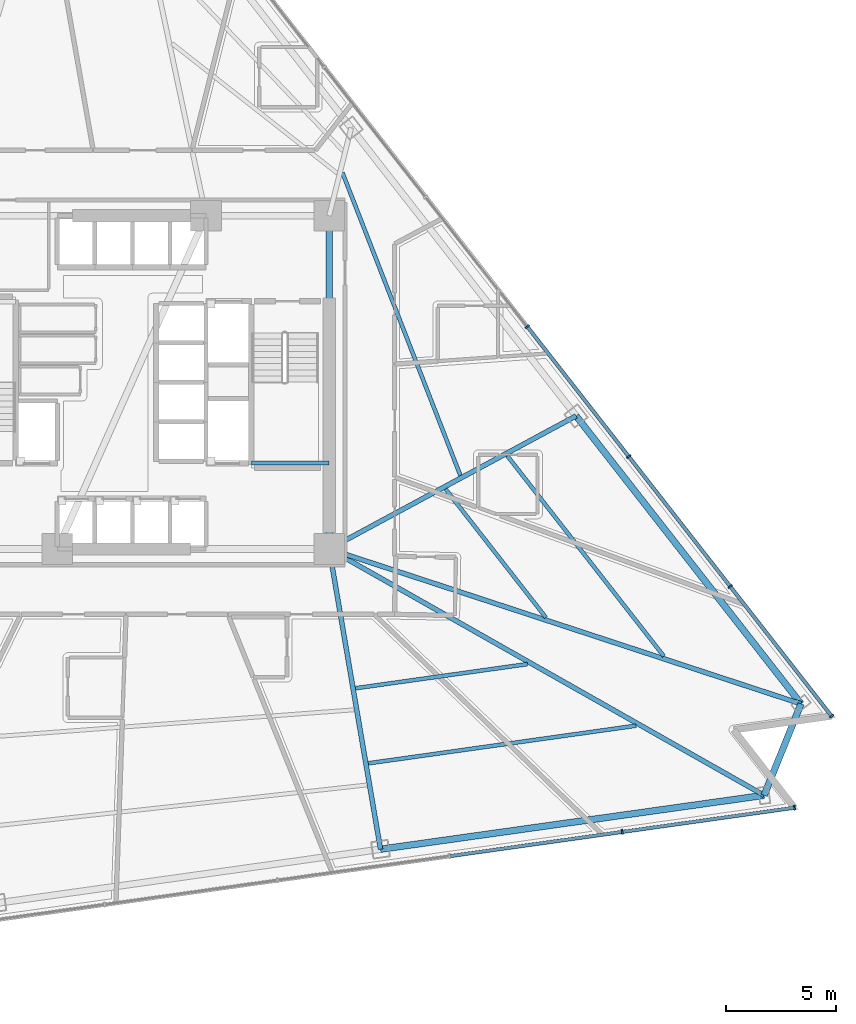
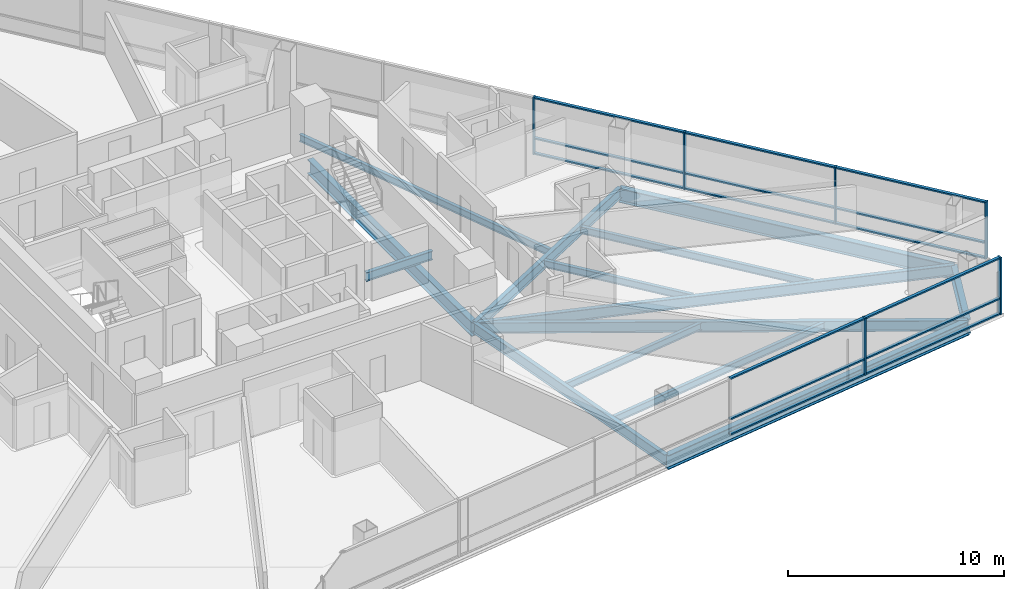
# One storey, part 4 of 15: 21 members, 14 beams, 2 elements without a shape of their own.
"""IFC4 building model written with IfcOpenShell, lengths in metres."""

from ifc_helpers import new_model, si_unit, direction, frame, origin, origin_2d, place, context, subcontext, project, spatial, rectangle, i_section, extrude, material, layer, layer_set, material_profile, profile_set, type_object, element, aggregate, save


model = new_model("IFC4")

# Units and contexts
model_context = context("Model", 3, precision=1e-05, world=origin(), true_north=direction((0.0, 1.0)))
body_context = subcontext(model_context, "Body", "Model", "MODEL_VIEW")
ifc_project = project(units=[si_unit("LENGTHUNIT", "METRE"), si_unit("AREAUNIT", "SQUARE_METRE"), si_unit("VOLUMEUNIT", "CUBIC_METRE"), si_unit("PLANEANGLEUNIT", "RADIAN"), si_unit("MASSUNIT", "GRAM", prefix="KILO")], contexts=[model_context])

# Site, building, storey
site_placement = place(None, origin())
site = spatial("IfcSite", under=ifc_project, at=site_placement, CompositionType="ELEMENT")
building_placement = place(site_placement, origin())
building = spatial("IfcBuilding", under=site, at=building_placement, Name="Tharavind Bronze Gate", CompositionType="ELEMENT")
storey_placement = place(building_placement, frame((0.0, 0.0, 60.449951171875)))
storey = spatial("IfcBuildingStorey", under=building, at=storey_placement, Name="L14", CompositionType="ELEMENT", Elevation=60.449951171875)

# Curtain wall, members
ifc_material_1 = material(Name="Anodised Bronze Aluminium", Category="aluminium")
ifc_layer = layer(ifc_material_1, 0.219970703125)
ifc_layer_set = layer_set([ifc_layer], Name="Anodised Bronze Aluminium")
curtain_wall_type = type_object("IfcCurtainWallType", Name="UNITISED CURTAIN WALL HOTEL", PredefinedType="USERDEFINED", material=ifc_layer_set)
curtain_wall_1_placement = place(storey_placement, origin())
curtain_wall_1 = element("IfcCurtainWall", 1, at=curtain_wall_1_placement, inside=storey, type_object=curtain_wall_type, Name="L14 unitised curtain wall hotel CW-L14-S2", ObjectType="UNITISED CURTAIN WALL", PredefinedType="USERDEFINED")
member_type_1 = type_object("IfcMemberType", Name="CURTAIN WALL MULLION 80X220", PredefinedType="MULLION", material=ifc_material_1)
member_1_placement = place(storey_placement, frame((22.261474609375, -20.504638671875, 0.0), z_axis=(0.0, 0.0, 1.0), x_axis=(0.990268068742, 0.13917310096, 0.0)))
member_1 = element("IfcMember", 2, at=member_1_placement, type_object=member_type_1, Name="CW-L14-S2 mullion 7", PredefinedType="MULLION", context=body_context, shape_type="SweptSolid", body=[
    extrude(rectangle(XDim=0.080078125, YDim=0.219970703125, at=origin_2d()), origin(), (0.0, 0.0, 1.0), 3.22509765625),
])
member_2_placement = place(storey_placement, frame((30.127685546875, -19.399169921875, 0.0), z_axis=(0.0, 0.0, 1.0), x_axis=(0.990268068742, 0.13917310096, 0.0)))
member_2 = element("IfcMember", 3, at=member_2_placement, type_object=member_type_1, Name="CW-L14-S2 mullion 8", PredefinedType="MULLION", context=body_context, shape_type="SweptSolid", body=[
    extrude(rectangle(XDim=0.080078125, YDim=0.219970703125, at=origin_2d()), origin(), (0.0, 0.0, 1.0), 3.22509765625),
])

curtain_wall_2_placement = place(storey_placement, origin())
curtain_wall_2 = element("IfcCurtainWall", 4, at=curtain_wall_2_placement, inside=storey, type_object=curtain_wall_type, Name="L14 unitised curtain wall hotel CW-L14-S3", ObjectType="UNITISED CURTAIN WALL", PredefinedType="USERDEFINED")
member_3_placement = place(storey_placement, frame((31.8134765625, -15.226806640625, 0.0), z_axis=(0.0, 0.0, 1.0), x_axis=(-0.615661475326, 0.788010753607, 0.0)))
member_3 = element("IfcMember", 5, at=member_3_placement, type_object=member_type_1, Name="CW-L14-S3 mullion 1", PredefinedType="MULLION", context=body_context, shape_type="SweptSolid", body=[
    extrude(rectangle(XDim=0.080078125, YDim=0.219970703125, at=origin_2d()), origin(), (0.0, 0.0, 1.0), 3.22509765625),
])
member_4_placement = place(storey_placement, frame((27.186767578125, -9.3046875, 0.0), z_axis=(0.0, 0.0, 1.0), x_axis=(-0.615661475326, 0.788010753607, 0.0)))
member_4 = element("IfcMember", 6, at=member_4_placement, type_object=member_type_1, Name="CW-L14-S3 mullion 2", PredefinedType="MULLION", context=body_context, shape_type="SweptSolid", body=[
    extrude(rectangle(XDim=0.080078125, YDim=0.219970703125, at=origin_2d()), origin(), (0.0, 0.0, 1.0), 3.22509765625),
])
member_5_placement = place(storey_placement, frame((22.56005859375, -3.3828125, 0.0), z_axis=(0.0, 0.0, 1.0), x_axis=(-0.615661475326, 0.788010753607, 0.0)))
member_5 = element("IfcMember", 7, at=member_5_placement, type_object=member_type_1, Name="CW-L14-S3 mullion 3", PredefinedType="MULLION", context=body_context, shape_type="SweptSolid", body=[
    extrude(rectangle(XDim=0.080078125, YDim=0.219970703125, at=origin_2d()), origin(), (0.0, 0.0, 1.0), 3.22509765625),
])
member_6_placement = place(storey_placement, frame((17.933349609375, 2.5390625, 0.0), z_axis=(0.0, 0.0, 1.0), x_axis=(-0.615661475326, 0.788010753607, 0.0)))
member_6 = element("IfcMember", 8, at=member_6_placement, type_object=member_type_1, Name="CW-L14-S3 mullion 4", PredefinedType="MULLION", context=body_context, shape_type="SweptSolid", body=[
    extrude(rectangle(XDim=0.080078125, YDim=0.219970703125, at=origin_2d()), origin(), (0.0, 0.0, 1.0), 3.22509765625),
])

# Member
member_type_2 = type_object("IfcMemberType", Name="CURTAIN WALL TRANSOM 80X160", PredefinedType="USERDEFINED", material=ifc_material_1)
member_7_placement = place(storey_placement, frame((18.328369140625, -21.057373046875, 0.0), z_axis=(0.0, 0.0, 1.0), x_axis=(0.990268068742, 0.13917310096, 0.0)))
member_7 = element("IfcMember", 9, at=member_7_placement, type_object=member_type_2, Name="CW-L14-S2 transom TB6", ObjectType="TRANSOM", PredefinedType="USERDEFINED", context=body_context, shape_type="SweptSolid", body=[
    extrude(rectangle(XDim=7.87548828125, YDim=0.159912109375, at=origin_2d()), origin(), (0.0, 0.0, 1.0), 0.080078125),
])

member_8_placement = place(storey_placement, frame((18.328369140625, -21.057373046875, 0.860107421875), z_axis=(0.0, 0.0, 1.0), x_axis=(0.990268068742, 0.13917310096, 0.0)))
member_8 = element("IfcMember", 10, at=member_8_placement, type_object=member_type_2, Name="CW-L14-S2 transom TS6", ObjectType="TRANSOM", PredefinedType="USERDEFINED", context=body_context, shape_type="SweptSolid", body=[
    extrude(rectangle(XDim=7.87548828125, YDim=0.159912109375, at=origin_2d()), origin(), (0.0, 0.0, 1.0), 0.080078125),
])

member_9_placement = place(storey_placement, frame((18.328369140625, -21.057373046875, 3.14501953125), z_axis=(0.0, 0.0, 1.0), x_axis=(0.990268068742, 0.13917310096, 0.0)))
member_9 = element("IfcMember", 11, at=member_9_placement, type_object=member_type_2, Name="CW-L14-S2 transom TT6", ObjectType="TRANSOM", PredefinedType="USERDEFINED", context=body_context, shape_type="SweptSolid", body=[
    extrude(rectangle(XDim=7.87548828125, YDim=0.159912109375, at=origin_2d()), origin(), (0.0, 0.0, 1.0), 0.080078125),
])

member_10_placement = place(storey_placement, frame((26.194580078125, -19.951904296875, 0.0), z_axis=(0.0, 0.0, 1.0), x_axis=(0.990268068742, 0.13917310096, 0.0)))
member_10 = element("IfcMember", 12, at=member_10_placement, type_object=member_type_2, Name="CW-L14-S2 transom TB7", ObjectType="TRANSOM", PredefinedType="USERDEFINED", context=body_context, shape_type="SweptSolid", body=[
    extrude(rectangle(XDim=7.87548828125, YDim=0.159912109375, at=origin_2d()), origin(), (0.0, 0.0, 1.0), 0.080078125),
])

member_11_placement = place(storey_placement, frame((26.194580078125, -19.951904296875, 0.860107421875), z_axis=(0.0, 0.0, 1.0), x_axis=(0.990268068742, 0.13917310096, 0.0)))
member_11 = element("IfcMember", 13, at=member_11_placement, type_object=member_type_2, Name="CW-L14-S2 transom TS7", ObjectType="TRANSOM", PredefinedType="USERDEFINED", context=body_context, shape_type="SweptSolid", body=[
    extrude(rectangle(XDim=7.87548828125, YDim=0.159912109375, at=origin_2d()), origin(), (0.0, 0.0, 1.0), 0.080078125),
])

member_12_placement = place(storey_placement, frame((26.194580078125, -19.951904296875, 3.14501953125), z_axis=(0.0, 0.0, 1.0), x_axis=(0.990268068742, 0.13917310096, 0.0)))
member_12 = element("IfcMember", 14, at=member_12_placement, type_object=member_type_2, Name="CW-L14-S2 transom TT7", ObjectType="TRANSOM", PredefinedType="USERDEFINED", context=body_context, shape_type="SweptSolid", body=[
    extrude(rectangle(XDim=7.87548828125, YDim=0.159912109375, at=origin_2d()), origin(), (0.0, 0.0, 1.0), 0.080078125),
])

aggregate(curtain_wall_1, [member_1, member_2, member_7, member_8, member_9, member_10, member_11, member_12])

member_13_placement = place(storey_placement, frame((29.5, -12.265869140625, 0.0), z_axis=(0.0, 0.0, 1.0), x_axis=(-0.615661475326, 0.788010753607, 0.0)))
member_13 = element("IfcMember", 15, at=member_13_placement, type_object=member_type_2, Name="CW-L14-S3 transom TB1", ObjectType="TRANSOM", PredefinedType="USERDEFINED", context=body_context, shape_type="SweptSolid", body=[
    extrude(rectangle(XDim=7.447021484375, YDim=0.159912109375, at=origin_2d()), origin(), (0.0, 0.0, 1.0), 0.080078125),
])

member_14_placement = place(storey_placement, frame((29.5, -12.265869140625, 0.860107421875), z_axis=(0.0, 0.0, 1.0), x_axis=(-0.615661475326, 0.788010753607, 0.0)))
member_14 = element("IfcMember", 16, at=member_14_placement, type_object=member_type_2, Name="CW-L14-S3 transom TS1", ObjectType="TRANSOM", PredefinedType="USERDEFINED", context=body_context, shape_type="SweptSolid", body=[
    extrude(rectangle(XDim=7.447021484375, YDim=0.159912109375, at=origin_2d()), origin(), (0.0, 0.0, 1.0), 0.080078125),
])

member_15_placement = place(storey_placement, frame((29.5, -12.265869140625, 3.14501953125), z_axis=(0.0, 0.0, 1.0), x_axis=(-0.615661475326, 0.788010753607, 0.0)))
member_15 = element("IfcMember", 17, at=member_15_placement, type_object=member_type_2, Name="CW-L14-S3 transom TT1", ObjectType="TRANSOM", PredefinedType="USERDEFINED", context=body_context, shape_type="SweptSolid", body=[
    extrude(rectangle(XDim=7.447021484375, YDim=0.159912109375, at=origin_2d()), origin(), (0.0, 0.0, 1.0), 0.080078125),
])

member_16_placement = place(storey_placement, frame((24.873291015625, -6.343994140625, 0.0), z_axis=(0.0, 0.0, 1.0), x_axis=(-0.615661475326, 0.788010753607, 0.0)))
member_16 = element("IfcMember", 18, at=member_16_placement, type_object=member_type_2, Name="CW-L14-S3 transom TB2", ObjectType="TRANSOM", PredefinedType="USERDEFINED", context=body_context, shape_type="SweptSolid", body=[
    extrude(rectangle(XDim=7.447021484375, YDim=0.159912109375, at=origin_2d()), origin(), (0.0, 0.0, 1.0), 0.080078125),
])

member_17_placement = place(storey_placement, frame((24.873291015625, -6.343994140625, 0.860107421875), z_axis=(0.0, 0.0, 1.0), x_axis=(-0.615661475326, 0.788010753607, 0.0)))
member_17 = element("IfcMember", 19, at=member_17_placement, type_object=member_type_2, Name="CW-L14-S3 transom TS2", ObjectType="TRANSOM", PredefinedType="USERDEFINED", context=body_context, shape_type="SweptSolid", body=[
    extrude(rectangle(XDim=7.447021484375, YDim=0.159912109375, at=origin_2d()), origin(), (0.0, 0.0, 1.0), 0.080078125),
])

member_18_placement = place(storey_placement, frame((24.873291015625, -6.343994140625, 3.14501953125), z_axis=(0.0, 0.0, 1.0), x_axis=(-0.615661475326, 0.788010753607, 0.0)))
member_18 = element("IfcMember", 20, at=member_18_placement, type_object=member_type_2, Name="CW-L14-S3 transom TT2", ObjectType="TRANSOM", PredefinedType="USERDEFINED", context=body_context, shape_type="SweptSolid", body=[
    extrude(rectangle(XDim=7.447021484375, YDim=0.159912109375, at=origin_2d()), origin(), (0.0, 0.0, 1.0), 0.080078125),
])

member_19_placement = place(storey_placement, frame((20.24658203125, -0.421875, 0.0), z_axis=(0.0, 0.0, 1.0), x_axis=(-0.615661475326, 0.788010753607, 0.0)))
member_19 = element("IfcMember", 21, at=member_19_placement, type_object=member_type_2, Name="CW-L14-S3 transom TB3", ObjectType="TRANSOM", PredefinedType="USERDEFINED", context=body_context, shape_type="SweptSolid", body=[
    extrude(rectangle(XDim=7.447021484375, YDim=0.159912109375, at=origin_2d()), origin(), (0.0, 0.0, 1.0), 0.080078125),
])

member_20_placement = place(storey_placement, frame((20.24658203125, -0.421875, 0.860107421875), z_axis=(0.0, 0.0, 1.0), x_axis=(-0.615661475326, 0.788010753607, 0.0)))
member_20 = element("IfcMember", 22, at=member_20_placement, type_object=member_type_2, Name="CW-L14-S3 transom TS3", ObjectType="TRANSOM", PredefinedType="USERDEFINED", context=body_context, shape_type="SweptSolid", body=[
    extrude(rectangle(XDim=7.447021484375, YDim=0.159912109375, at=origin_2d()), origin(), (0.0, 0.0, 1.0), 0.080078125),
])

member_21_placement = place(storey_placement, frame((20.24658203125, -0.421875, 3.14501953125), z_axis=(0.0, 0.0, 1.0), x_axis=(-0.615661475326, 0.788010753607, 0.0)))
member_21 = element("IfcMember", 23, at=member_21_placement, type_object=member_type_2, Name="CW-L14-S3 transom TT3", ObjectType="TRANSOM", PredefinedType="USERDEFINED", context=body_context, shape_type="SweptSolid", body=[
    extrude(rectangle(XDim=7.447021484375, YDim=0.159912109375, at=origin_2d()), origin(), (0.0, 0.0, 1.0), 0.080078125),
])

aggregate(curtain_wall_2, [member_3, member_4, member_5, member_6, member_13, member_14, member_15, member_16, member_17, member_18, member_19, member_20, member_21])

# Beams
ifc_material_2 = material(Name="Steel S355", Category="steel")
ifc_material_profile_1 = material_profile(ifc_material_2, i_section(OverallWidth=0.199951171875, OverallDepth=0.5, WebThickness=0.01025390625, FlangeThickness=0.01611328125, at=origin_2d()), Name="IPE500")
ifc_profile_set_1 = profile_set([ifc_material_profile_1], Name="Steel S355")
beam_type_1 = type_object("IfcBeamType", Name="PRIMARY GIRDER IPE500", PredefinedType="USERDEFINED", material=ifc_profile_set_1)
beam_1_placement = place(storey_placement, frame((5.35009765625, -3.679931640625, 1.25), z_axis=(1.0, 0.0, 0.0), x_axis=(0.0, 1.0, 0.0)))
element("IfcBeam", 24, at=beam_1_placement, inside=storey, type_object=beam_type_1, Name="L14 primary girder ipe500 BM-LD-ST2-L14-1", ObjectType="GIRDER", PredefinedType="USERDEFINED", context=body_context, shape_type="SweptSolid", body=[
    extrude(i_section(OverallWidth=0.199951171875, OverallDepth=0.5, WebThickness=0.01025390625, FlangeThickness=0.01611328125, at=origin_2d()), origin(), (0.0, 0.0, 1.0), 3.5498046875),
])
ifc_material_profile_2 = material_profile(ifc_material_2, i_section(OverallWidth=0.219970703125, OverallDepth=0.60009765625, WebThickness=0.011962890625, FlangeThickness=0.01904296875, at=origin_2d()), Name="IPE600")
ifc_profile_set_2 = profile_set([ifc_material_profile_2], Name="Steel S355")
beam_type_2 = type_object("IfcBeamType", Name="PRIMARY GIRDER IPE600", PredefinedType="USERDEFINED", material=ifc_profile_set_2)
beam_2_placement = place(storey_placement, frame((11.23974609375, -21.29638671875, -0.474853515625), z_axis=(-0.168398067653, 0.985719072967, 0.0), x_axis=(-0.985719072967, -0.168398067653, 0.0)))
element("IfcBeam", 25, at=beam_2_placement, inside=storey, type_object=beam_type_2, Name="L14 primary girder ipe600 BM-L14-RAD07", ObjectType="GIRDER", PredefinedType="USERDEFINED", context=body_context, shape_type="SweptSolid", body=[
    extrude(i_section(OverallWidth=0.219970703125, OverallDepth=0.60009765625, WebThickness=0.011962890625, FlangeThickness=0.01904296875, at=origin_2d()), origin(), (0.0, 0.0, 1.0), 13.894775390625),
])
beam_3_placement = place(storey_placement, frame((28.737060546875, -18.837158203125, -0.474853515625), z_axis=(-0.870097351351, 0.492879903396, 0.0), x_axis=(-0.492879903396, -0.870097351351, 0.0)))
element("IfcBeam", 26, at=beam_3_placement, inside=storey, type_object=beam_type_2, Name="L14 primary girder ipe600 BM-L14-RAD08", ObjectType="GIRDER", PredefinedType="USERDEFINED", context=body_context, shape_type="SweptSolid", body=[
    extrude(i_section(OverallWidth=0.219970703125, OverallDepth=0.60009765625, WebThickness=0.011962890625, FlangeThickness=0.01904296875, at=origin_2d()), origin(), (0.0, 0.0, 1.0), 22.798828125),
])
beam_4_placement = place(storey_placement, frame((30.422607421875, -14.664794921875, -0.474853515625), z_axis=(-0.950123985447, 0.311872429494, 0.0), x_axis=(-0.311872429494, -0.950123985447, 0.0)))
element("IfcBeam", 27, at=beam_4_placement, inside=storey, type_object=beam_type_2, Name="L14 primary girder ipe600 BM-L14-RAD09", ObjectType="GIRDER", PredefinedType="USERDEFINED", context=body_context, shape_type="SweptSolid", body=[
    extrude(i_section(OverallWidth=0.219970703125, OverallDepth=0.60009765625, WebThickness=0.011962890625, FlangeThickness=0.01904296875, at=origin_2d()), origin(), (0.0, 0.0, 1.0), 22.652587890625),
])
beam_5_placement = place(storey_placement, frame((20.16015625, -1.529296875, -0.474853515625), z_axis=(-0.880223404357, -0.474559541493, 0.0), x_axis=(0.474559541493, -0.880223404357, 0.0)))
element("IfcBeam", 28, at=beam_5_placement, inside=storey, type_object=beam_type_2, Name="L14 primary girder ipe600 BM-L14-RAD10", ObjectType="GIRDER", PredefinedType="USERDEFINED", context=body_context, shape_type="SweptSolid", body=[
    extrude(i_section(OverallWidth=0.219970703125, OverallDepth=0.60009765625, WebThickness=0.011962890625, FlangeThickness=0.01904296875, at=origin_2d()), origin(), (0.0, 0.0, 1.0), 12.79248046875),
])
ifc_material_profile_3 = material_profile(ifc_material_2, i_section(OverallWidth=0.300048828125, OverallDepth=0.800048828125, WebThickness=0.017578125, FlangeThickness=0.032958984375, at=origin_2d()), Name="HE800B")
ifc_profile_set_3 = profile_set([ifc_material_profile_3], Name="Steel S355")
beam_type_3 = type_object("IfcBeamType", Name="RING GIRDER HE800B", PredefinedType="USERDEFINED", material=ifc_profile_set_3)
beam_6_placement = place(storey_placement, frame((8.89990234375, -7.60009765625, -0.574951171875), z_axis=(0.0, 1.0, 0.0), x_axis=(-1.0, 0.0, 0.0)))
element("IfcBeam", 29, at=beam_6_placement, inside=storey, type_object=beam_type_3, Name="L14 ring girder he800b BM-L14-CR3", ObjectType="GIRDER", PredefinedType="USERDEFINED", context=body_context, shape_type="SweptSolid", body=[
    extrude(i_section(OverallWidth=0.300048828125, OverallDepth=0.800048828125, WebThickness=0.017578125, FlangeThickness=0.032958984375, at=origin_2d()), origin(), (0.0, 0.0, 1.0), 15.2001953125),
])
beam_7_placement = place(storey_placement, frame((11.23974609375, -21.29638671875, -0.574951171875), z_axis=(0.990266966294, 0.13918094506, 0.0), x_axis=(-0.13918094506, 0.990266966294, 0.0)))
element("IfcBeam", 30, at=beam_7_placement, inside=storey, type_object=beam_type_3, Name="L14 ring girder he800b BM-L14-PRG07", ObjectType="GIRDER", PredefinedType="USERDEFINED", context=body_context, shape_type="SweptSolid", body=[
    extrude(i_section(OverallWidth=0.300048828125, OverallDepth=0.800048828125, WebThickness=0.017578125, FlangeThickness=0.032958984375, at=origin_2d()), origin(), (0.0, 0.0, 1.0), 17.669189453125),
])
beam_8_placement = place(storey_placement, frame((28.737060546875, -18.837158203125, -0.574951171875), z_axis=(0.374568898324, 0.927199083481, 0.0), x_axis=(-0.927199083481, 0.374568898324, 0.0)))
element("IfcBeam", 31, at=beam_8_placement, inside=storey, type_object=beam_type_3, Name="L14 ring girder he800b BM-L14-PRG08", ObjectType="GIRDER", PredefinedType="USERDEFINED", context=body_context, shape_type="SweptSolid", body=[
    extrude(i_section(OverallWidth=0.300048828125, OverallDepth=0.800048828125, WebThickness=0.017578125, FlangeThickness=0.032958984375, at=origin_2d()), origin(), (0.0, 0.0, 1.0), 4.5),
])
beam_9_placement = place(storey_placement, frame((30.422607421875, -14.664794921875, -0.574951171875), z_axis=(-0.61565683186, 0.788014381458, 0.0), x_axis=(-0.788014381458, -0.61565683186, 0.0)))
element("IfcBeam", 32, at=beam_9_placement, inside=storey, type_object=beam_type_3, Name="L14 ring girder he800b BM-L14-PRG09", ObjectType="GIRDER", PredefinedType="USERDEFINED", context=body_context, shape_type="SweptSolid", body=[
    extrude(i_section(OverallWidth=0.300048828125, OverallDepth=0.800048828125, WebThickness=0.017578125, FlangeThickness=0.032958984375, at=origin_2d()), origin(), (0.0, 0.0, 1.0), 16.669189453125),
])
ifc_material_profile_4 = material_profile(ifc_material_2, i_section(OverallWidth=0.179931640625, OverallDepth=0.39990234375, WebThickness=0.008544921875, FlangeThickness=0.013427734375, at=origin_2d()), Name="IPE400")
ifc_profile_set_4 = profile_set([ifc_material_profile_4], Name="Steel S355")
beam_type_4 = type_object("IfcBeamType", Name="SECONDARY FLOOR JOIST IPE400", PredefinedType="JOIST", material=ifc_profile_set_4)
beam_10_placement = place(storey_placement, frame((10.100830078125, -13.952880859375, -0.375), z_axis=(0.990270061331, 0.13915892221, 0.0), x_axis=(-0.13915892221, 0.990270061331, 0.0)))
element("IfcBeam", 33, at=beam_10_placement, inside=storey, type_object=beam_type_4, Name="L14 secondary floor joist ipe400 BM-L14-JSTA07", PredefinedType="JOIST", context=body_context, shape_type="SweptSolid", body=[
    extrude(i_section(OverallWidth=0.179931640625, OverallDepth=0.39990234375, WebThickness=0.008544921875, FlangeThickness=0.013427734375, at=origin_2d()), origin(), (0.0, 0.0, 1.0), 7.917724609375),
])
beam_11_placement = place(storey_placement, frame((10.685791015625, -17.376953125, -0.375), z_axis=(0.990269539088, 0.139162638498, 0.0), x_axis=(-0.139162638498, 0.990269539088, 0.0)))
element("IfcBeam", 34, at=beam_11_placement, inside=storey, type_object=beam_type_4, Name="L14 secondary floor joist ipe400 BM-L14-JSTB07", PredefinedType="JOIST", context=body_context, shape_type="SweptSolid", body=[
    extrude(i_section(OverallWidth=0.179931640625, OverallDepth=0.39990234375, WebThickness=0.008544921875, FlangeThickness=0.013427734375, at=origin_2d()), origin(), (0.0, 0.0, 1.0), 12.3349609375),
])
beam_12_placement = place(storey_placement, frame((18.783935546875, -10.726318359375, -0.375), z_axis=(-0.615658063003, 0.788013419593, 0.0), x_axis=(-0.788013419593, -0.615658063003, 0.0)))
element("IfcBeam", 35, at=beam_12_placement, inside=storey, type_object=beam_type_4, Name="L14 secondary floor joist ipe400 BM-L14-JSTA09", PredefinedType="JOIST", context=body_context, shape_type="SweptSolid", body=[
    extrude(i_section(OverallWidth=0.179931640625, OverallDepth=0.39990234375, WebThickness=0.008544921875, FlangeThickness=0.013427734375, at=origin_2d()), origin(), (0.0, 0.0, 1.0), 7.433837890625),
])
beam_13_placement = place(storey_placement, frame((24.16455078125, -12.492431640625, -0.375), z_axis=(-0.61565833532, 0.788013206838, 0.0), x_axis=(-0.788013206838, -0.61565833532, 0.0)))
element("IfcBeam", 36, at=beam_13_placement, inside=storey, type_object=beam_type_4, Name="L14 secondary floor joist ipe400 BM-L14-JSTB09", PredefinedType="JOIST", context=body_context, shape_type="SweptSolid", body=[
    extrude(i_section(OverallWidth=0.179931640625, OverallDepth=0.39990234375, WebThickness=0.008544921875, FlangeThickness=0.013427734375, at=origin_2d()), origin(), (0.0, 0.0, 1.0), 11.60107421875),
])
beam_14_placement = place(storey_placement, frame((14.882568359375, -4.2451171875, -0.375), z_axis=(-0.362958255352, 0.931805400753, 0.0), x_axis=(-0.931805400753, -0.362958255352, 0.0)))
element("IfcBeam", 37, at=beam_14_placement, inside=storey, type_object=beam_type_4, Name="L14 secondary floor joist ipe400 BM-L14-JSTA10", PredefinedType="JOIST", context=body_context, shape_type="SweptSolid", body=[
    extrude(i_section(OverallWidth=0.179931640625, OverallDepth=0.39990234375, WebThickness=0.008544921875, FlangeThickness=0.013427734375, at=origin_2d()), origin(), (0.0, 0.0, 1.0), 14.817626953125),
])

save(model, "model.ifc")
